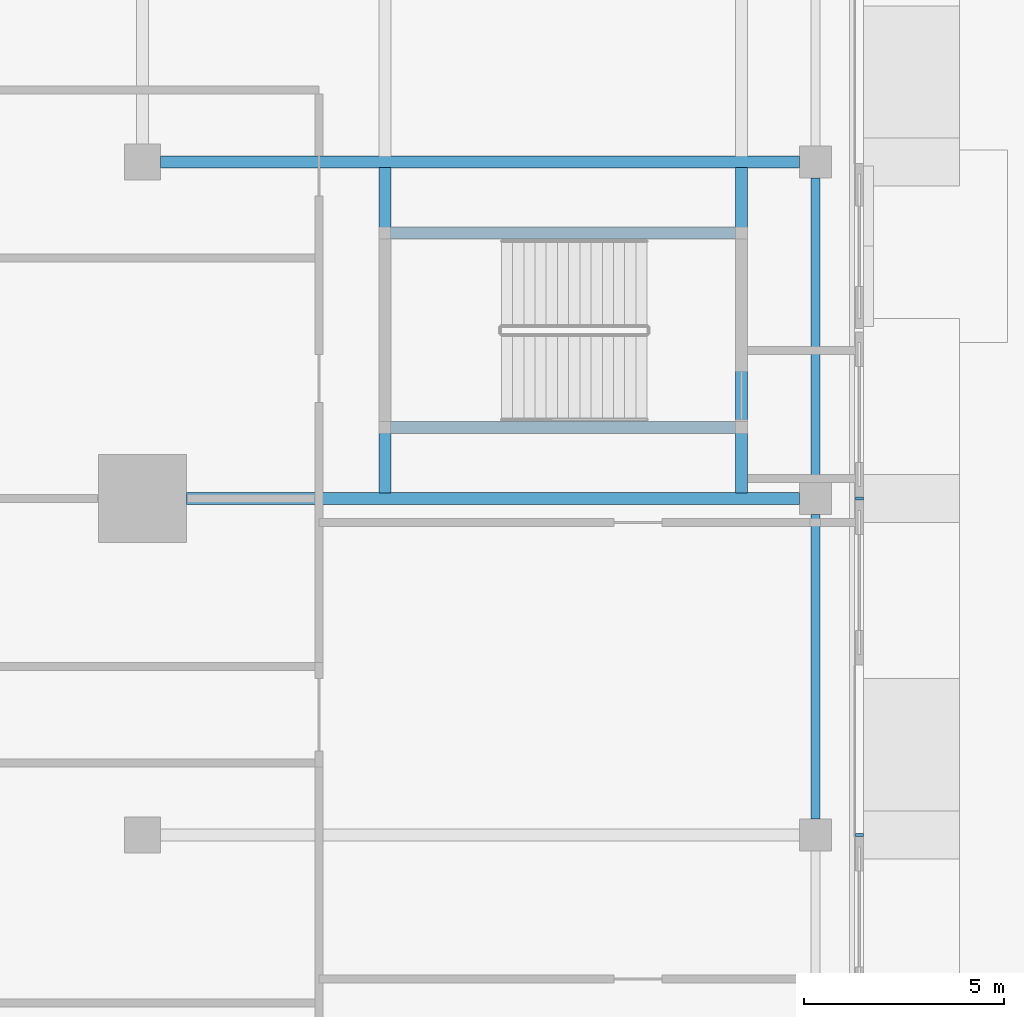
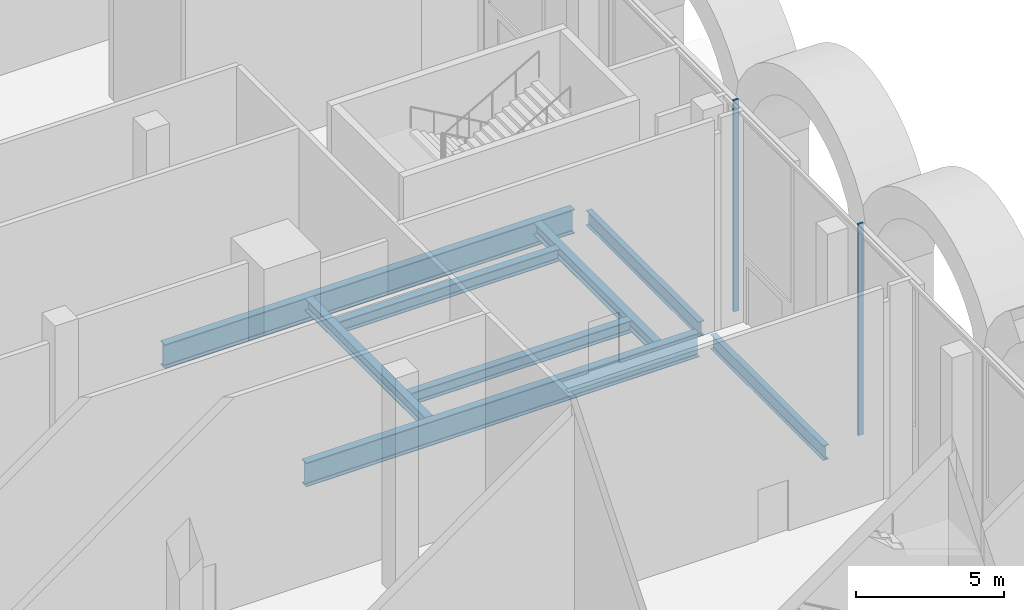
# One storey, part 11 of 43: 8 beams, 2 members, 1 element without a shape of its own.
"""IFC4 building model written with IfcOpenShell, lengths in metres."""

from ifc_helpers import new_model, si_unit, direction, frame, origin, origin_2d, place, context, subcontext, project, spatial, rectangle, i_section, extrude, material, material_profile, profile_set, type_object, element, aggregate, save


model = new_model("IFC4")

# Units and contexts
model_context = context("Model", 3, precision=1e-05, world=origin(), true_north=direction((0.0, 1.0)))
body_context = subcontext(model_context, "Body", "Model", "MODEL_VIEW")
ifc_project = project(units=[si_unit("LENGTHUNIT", "METRE"), si_unit("AREAUNIT", "SQUARE_METRE"), si_unit("VOLUMEUNIT", "CUBIC_METRE"), si_unit("PLANEANGLEUNIT", "RADIAN"), si_unit("MASSUNIT", "GRAM", prefix="KILO")], contexts=[model_context])

# Site, building, storey
site_placement = place(None, origin())
site = spatial("IfcSite", under=ifc_project, at=site_placement, CompositionType="ELEMENT")
building_placement = place(site_placement, origin())
building = spatial("IfcBuilding", under=site, at=building_placement, Name="Saffron Gate Tower", CompositionType="ELEMENT")
storey_placement = place(building_placement, origin())
storey = spatial("IfcBuildingStorey", under=building, at=storey_placement, Name="L00", CompositionType="ELEMENT", Elevation=0.0)

# Beams
ifc_material_1 = material(Name="Structural steel S355", Category="steel")
ifc_material_profile_1 = material_profile(ifc_material_1, i_section(OverallWidth=0.219970703125, OverallDepth=0.60009765625, WebThickness=0.011962890625, FlangeThickness=0.01904296875, FilletRadius=0.02392578125, at=origin_2d()))
ifc_profile_set_1 = profile_set([ifc_material_profile_1], Name="Structural steel S355")
beam_type_1 = type_object("IfcBeamType", Name="B15 IPE 600", PredefinedType="BEAM", material=ifc_profile_set_1)
beam_1_placement = place(storey_placement, frame((142.199951171875, 57.39990234375, -0.60009765625), z_axis=(0.0, 1.0, 0.0), x_axis=(-1.0, 0.0, 0.0)))
element("IfcBeam", 1, at=beam_1_placement, inside=storey, type_object=beam_type_1, Name="B15 PODIUM EDGE BEAM", PredefinedType="BEAM", context=body_context, shape_type="SweptSolid", body=[
    extrude(i_section(OverallWidth=0.219970703125, OverallDepth=0.60009765625, WebThickness=0.011962890625, FlangeThickness=0.01904296875, FilletRadius=0.02392578125, at=origin_2d()), origin(), (0.0, 0.0, 1.0), 7.60009765625),
])
beam_2_placement = place(storey_placement, frame((142.199951171875, 65.800048828125, -0.60009765625), z_axis=(0.0, 1.0, 0.0), x_axis=(-1.0, 0.0, 0.0)))
element("IfcBeam", 2, at=beam_2_placement, inside=storey, type_object=beam_type_1, Name="B15 PODIUM EDGE BEAM", PredefinedType="BEAM", context=body_context, shape_type="SweptSolid", body=[
    extrude(i_section(OverallWidth=0.219970703125, OverallDepth=0.60009765625, WebThickness=0.011962890625, FlangeThickness=0.01904296875, FilletRadius=0.02392578125, at=origin_2d()), origin(), (0.0, 0.0, 1.0), 7.599853515625),
])
ifc_material_profile_2 = material_profile(ifc_material_1, i_section(OverallWidth=0.300048828125, OverallDepth=0.989990234375, WebThickness=0.0166015625, FlangeThickness=0.031005859375, FilletRadius=0.030029296875, at=origin_2d()))
ifc_profile_set_2 = profile_set([ifc_material_profile_2], Name="Structural steel S355")
beam_type_2 = type_object("IfcBeamType", Name="B21 HEA 1000", PredefinedType="BEAM", material=ifc_profile_set_2)
beam_3_placement = place(storey_placement, frame((141.800048828125, 65.39990234375, -0.794921875), z_axis=(-1.0, 0.0, 0.0), x_axis=(0.0, -1.0, 0.0)))
element("IfcBeam", 3, at=beam_3_placement, inside=storey, type_object=beam_type_2, Name="B21 PODIUM RING GIRDER", PredefinedType="BEAM", context=body_context, shape_type="SweptSolid", body=[
    extrude(i_section(OverallWidth=0.300048828125, OverallDepth=0.989990234375, WebThickness=0.0166015625, FlangeThickness=0.031005859375, FilletRadius=0.030029296875, at=origin_2d()), origin(), (0.0, 0.0, 1.0), 15.300048828125),
])
beam_4_placement = place(storey_placement, frame((141.800048828125, 73.800048828125, -0.794921875), z_axis=(-1.0, 0.0, 0.0), x_axis=(0.0, -1.0, 0.0)))
element("IfcBeam", 4, at=beam_4_placement, inside=storey, type_object=beam_type_2, Name="B21 PODIUM RING GIRDER", PredefinedType="BEAM", context=body_context, shape_type="SweptSolid", body=[
    extrude(i_section(OverallWidth=0.300048828125, OverallDepth=0.989990234375, WebThickness=0.0166015625, FlangeThickness=0.031005859375, FilletRadius=0.030029296875, at=origin_2d()), origin(), (0.0, 0.0, 1.0), 15.949951171875),
])
ifc_material_profile_3 = material_profile(ifc_material_1, i_section(OverallWidth=0.300048828125, OverallDepth=0.5, WebThickness=0.014404296875, FlangeThickness=0.028076171875, FilletRadius=0.027099609375, at=origin_2d()))
ifc_profile_set_3 = profile_set([ifc_material_profile_3], Name="Structural steel S355")
beam_type_3 = type_object("IfcBeamType", Name="B9 HEB 500", PredefinedType="BEAM", material=ifc_profile_set_3)
for number, where, z_axis, x_axis, name in (
    (5, (131.449951171875, 65.5400390625, -0.550048828125), (0.0, 1.0, 0.0), (-1.0, 0.0, 0.0), "B9 STAIR ENCLOSURE HEADER BEAM"),
    (6, (140.35009765625, 65.5400390625, -0.550048828125), (0.0, 1.0, 0.0), (-1.0, 0.0, 0.0), "B9 STAIR ENCLOSURE HEADER BEAM"),
):
    element("IfcBeam", number, at=place(storey_placement, frame(where, z_axis=z_axis, x_axis=x_axis)), inside=storey, type_object=beam_type_3, Name=name, PredefinedType="BEAM", context=body_context, shape_type="SweptSolid", body=[
        extrude(i_section(OverallWidth=0.300048828125, OverallDepth=0.5, WebThickness=0.014404296875, FlangeThickness=0.028076171875, FilletRadius=0.027099609375, at=origin_2d()), origin(), (0.0, 0.0, 1.0), 8.119873046875),
    ])
for number, where, z_axis, x_axis, name in (
    (7, (131.590087890625, 67.175048828125, -0.550048828125), (1.0, 0.0, 0.0), (0.0, 1.0, 0.0), "B9 STAIR ENCLOSURE TRIMMER BEAM"),
    (8, (131.590087890625, 72.02490234375, -0.550048828125), (1.0, 0.0, 0.0), (0.0, 1.0, 0.0), "B9 STAIR ENCLOSURE TRIMMER BEAM"),
):
    element("IfcBeam", number, at=place(storey_placement, frame(where, z_axis=z_axis, x_axis=x_axis)), inside=storey, type_object=beam_type_3, Name=name, PredefinedType="BEAM", context=body_context, shape_type="SweptSolid", body=[
        extrude(i_section(OverallWidth=0.300048828125, OverallDepth=0.5, WebThickness=0.014404296875, FlangeThickness=0.028076171875, FilletRadius=0.027099609375, at=origin_2d()), origin(), (0.0, 0.0, 1.0), 8.619873046875),
    ])

# Curtain wall, members
ifc_material_2 = material(Name="Aluminium, bronze anodised", Category="aluminium")
curtain_wall_type = type_object("IfcCurtainWallType", Name="CWS5 curtain wall podium ring base", PredefinedType="NOTDEFINED", material=ifc_material_2)
curtain_wall_placement = place(storey_placement, origin())
curtain_wall = element("IfcCurtainWall", 9, at=curtain_wall_placement, inside=storey, type_object=curtain_wall_type, Name="CWS5 run 2", PredefinedType="NOTDEFINED")
ifc_material_profile_4 = material_profile(ifc_material_2, rectangle(XDim=0.199951171875, YDim=0.080078125, at=origin_2d()))
ifc_profile_set_4 = profile_set([ifc_material_profile_4], Name="Aluminium, bronze anodised")
member_type = type_object("IfcMemberType", Name="CWS5 mullion 80x200", PredefinedType="MULLION", material=ifc_profile_set_4)
member_1_placement = place(storey_placement, frame((143.300048828125, 57.0, 0.0), z_axis=(0.0, 0.0, 1.0), x_axis=(-1.0, 0.0, 0.0)))
member_1 = element("IfcMember", 10, at=member_1_placement, type_object=member_type, Name="CWS5 mullion 6", PredefinedType="MULLION", context=body_context, shape_type="SweptSolid", body=[
    extrude(rectangle(XDim=0.199951171875, YDim=0.080078125, at=origin_2d()), origin(), (0.0, 0.0, 1.0), 8.699951171875),
])
member_2_placement = place(storey_placement, frame((143.300048828125, 65.39990234375, 0.0), z_axis=(0.0, 0.0, 1.0), x_axis=(-1.0, 0.0, 0.0)))
member_2 = element("IfcMember", 11, at=member_2_placement, type_object=member_type, Name="CWS5 mullion 7", PredefinedType="MULLION", context=body_context, shape_type="SweptSolid", body=[
    extrude(rectangle(XDim=0.199951171875, YDim=0.080078125, at=origin_2d()), origin(), (0.0, 0.0, 1.0), 8.699951171875),
])
aggregate(curtain_wall, [member_1, member_2])

save(model, "model.ifc")
